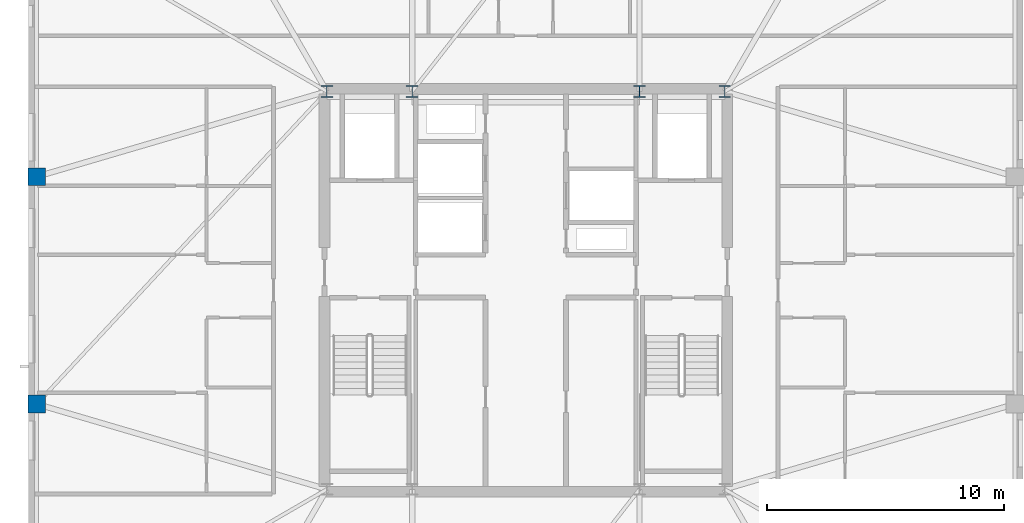
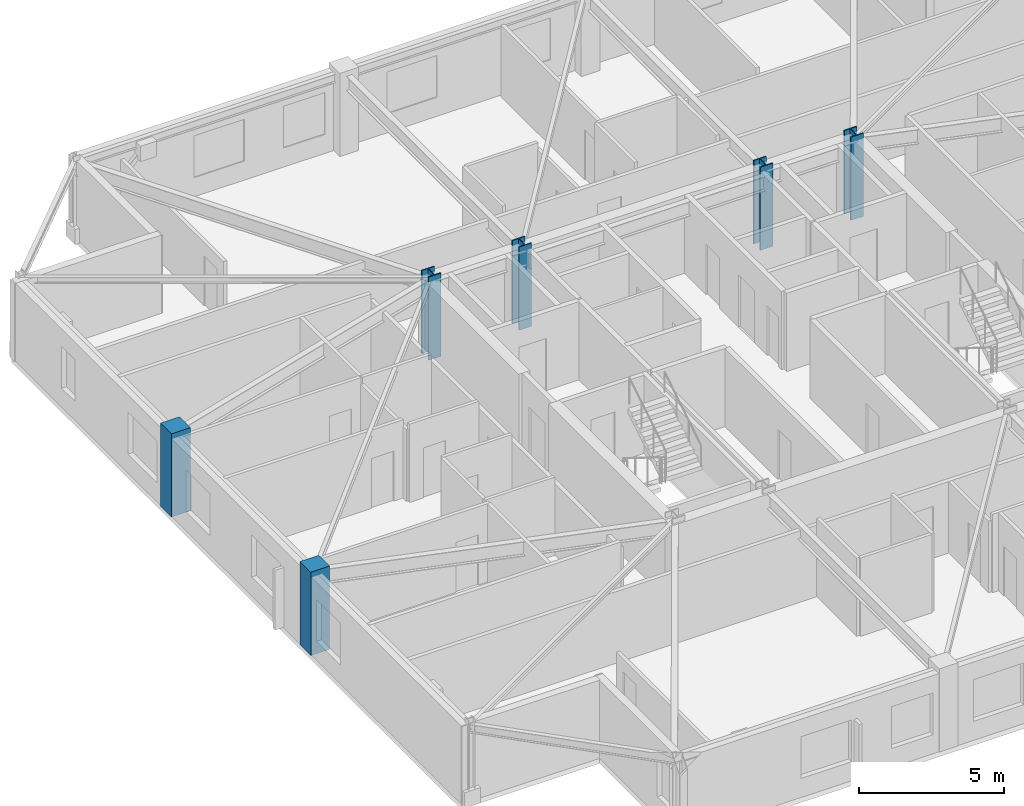
# One storey, part 2 of 15: 6 columns.
"""IFC4 building model written with IfcOpenShell, lengths in metres."""

from ifc_helpers import new_model, si_unit, direction, frame, origin, origin_2d, place, context, subcontext, project, spatial, rectangle, i_section, extrude, material, material_profile, profile_set, type_object, element, save


model = new_model("IFC4")

# Units and contexts
model_context = context("Model", 3, precision=1e-05, world=origin(), true_north=direction((0.0, 1.0)))
body_context = subcontext(model_context, "Body", "Model", "MODEL_VIEW")
ifc_project = project(units=[si_unit("LENGTHUNIT", "METRE"), si_unit("AREAUNIT", "SQUARE_METRE"), si_unit("VOLUMEUNIT", "CUBIC_METRE"), si_unit("PLANEANGLEUNIT", "RADIAN"), si_unit("MASSUNIT", "GRAM", prefix="KILO")], contexts=[model_context])

# Site, building, storey
site_placement = place(None, origin())
site = spatial("IfcSite", under=ifc_project, at=site_placement, CompositionType="ELEMENT")
building_placement = place(site_placement, origin())
building = spatial("IfcBuilding", under=site, at=building_placement, Name="Cairnveth Concourse Tower", CompositionType="ELEMENT")
storey_placement = place(building_placement, frame((0.0, 0.0, 287.5)))
storey = spatial("IfcBuildingStorey", under=building, at=storey_placement, Name="L79", CompositionType="ELEMENT", Elevation=287.5)

# Columns
ifc_material_1 = material(Name="Concrete N50 (50 MPa)", Category="concrete")
ifc_material_profile_1 = material_profile(ifc_material_1, rectangle(XDim=0.75, YDim=0.75, at=origin_2d()), Name="RC-COL-750x750")
ifc_profile_set_1 = profile_set([ifc_material_profile_1], Name="Concrete N50 (50 MPa)")
column_type_1 = type_object("IfcColumnType", Name="PERIMETER PIER COLUMN 750X750", PredefinedType="COLUMN", material=ifc_profile_set_1)
for number, where, z_axis, x_axis, name in (
    (1, (31.35009765625, 43.800048828125, 0.0), (0.0, 0.0, 1.0), (0.0, 1.0, 0.0), "Column P-W2 L79"),
    (2, (31.35009765625, 34.199951171875, 0.0), (0.0, 0.0, 1.0), (0.0, 1.0, 0.0), "Column P-W3 L79"),
):
    element("IfcColumn", number, at=place(storey_placement, frame(where, z_axis=z_axis, x_axis=x_axis)), inside=storey, type_object=column_type_1, Name=name, PredefinedType="COLUMN", context=body_context, shape_type="SweptSolid", body=[
        extrude(rectangle(XDim=0.75, YDim=0.75, at=origin_2d()), origin(), (0.0, 0.0, 1.0), 3.5),
    ])
ifc_material_2 = material(Name="Steel Grade 350", Category="steel")
ifc_material_profile_2 = material_profile(ifc_material_2, i_section(OverallWidth=0.5, OverallDepth=0.5, WebThickness=0.028076171875, FlangeThickness=0.044921875, at=origin_2d()), Name="500WC383")
ifc_profile_set_2 = profile_set([ifc_material_profile_2], Name="Steel Grade 350")
column_type_2 = type_object("IfcColumnType", Name="WELDED STEEL COLUMN 500WC383", PredefinedType="COLUMN", material=ifc_profile_set_2)
for number, where, z_axis, x_axis, name in (
    (3, (43.60009765625, 47.39990234375, 0.0), (0.0, 0.0, 1.0), (1.0, 0.0, 0.0), "Column CC5 L79"),
    (4, (47.199951171875, 47.39990234375, 0.0), (0.0, 0.0, 1.0), (1.0, 0.0, 0.0), "Column CC6 L79"),
    (5, (56.800048828125, 47.39990234375, 0.0), (0.0, 0.0, 1.0), (1.0, 0.0, 0.0), "Column CC7 L79"),
    (6, (60.39990234375, 47.39990234375, 0.0), (0.0, 0.0, 1.0), (1.0, 0.0, 0.0), "Column CC8 L79"),
):
    element("IfcColumn", number, at=place(storey_placement, frame(where, z_axis=z_axis, x_axis=x_axis)), inside=storey, type_object=column_type_2, Name=name, PredefinedType="COLUMN", context=body_context, shape_type="SweptSolid", body=[
        extrude(i_section(OverallWidth=0.5, OverallDepth=0.5, WebThickness=0.028076171875, FlangeThickness=0.044921875, at=origin_2d()), origin(), (0.0, 0.0, 1.0), 3.5),
    ])

save(model, "model.ifc")
